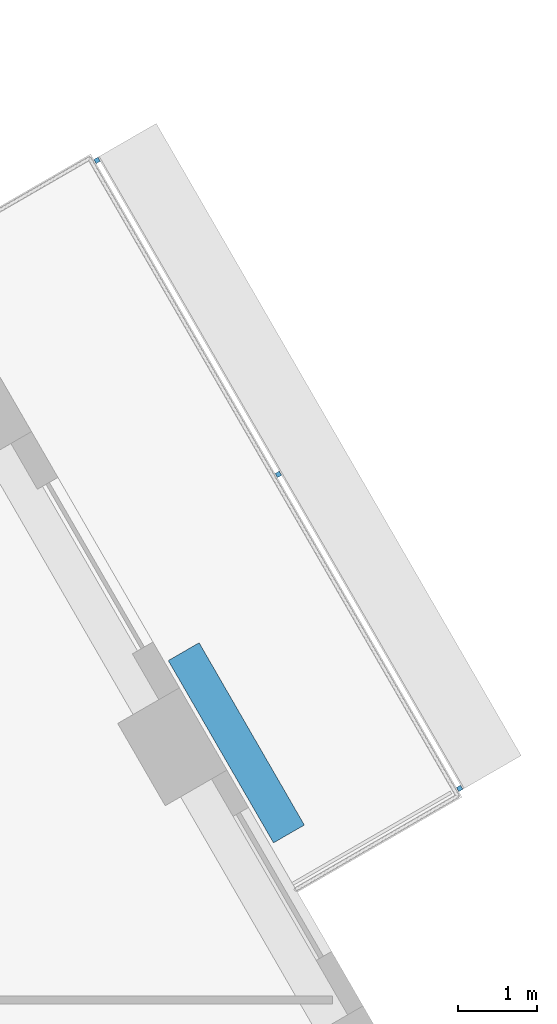
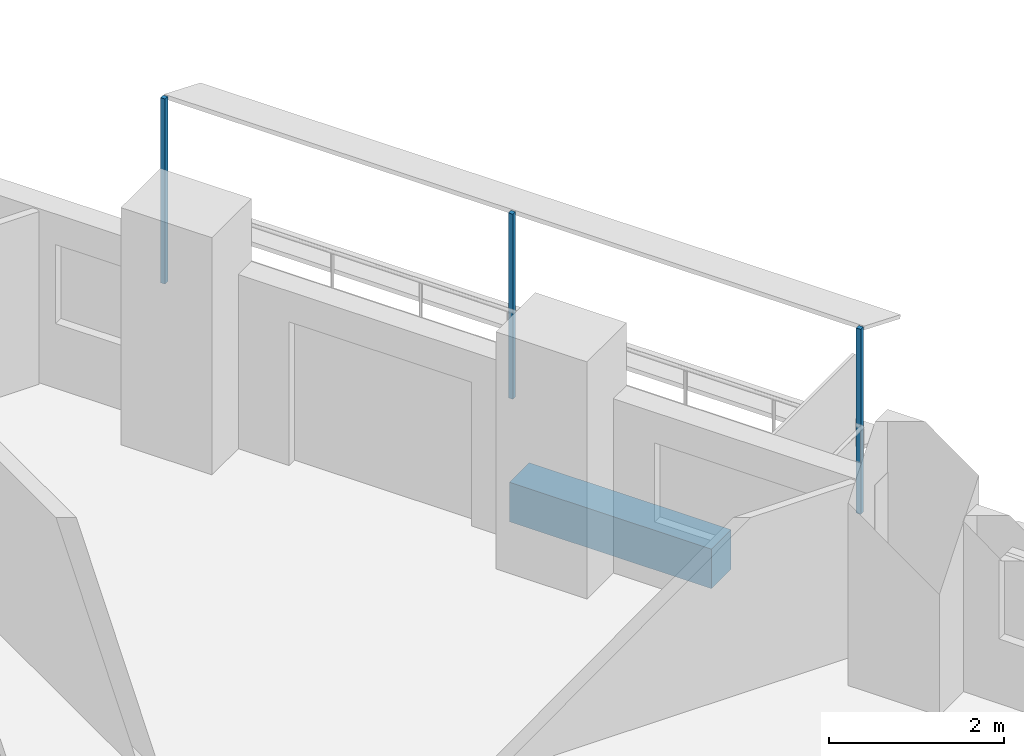
# One storey, part 13 of 18: 4 discrete accessories.
"""IFC4 building model written with IfcOpenShell, lengths in metres."""

from ifc_helpers import new_model, si_unit, direction, frame, origin, origin_2d, place, context, subcontext, project, spatial, rectangle, extrude, material, type_object, element, save


model = new_model("IFC4")

# Units and contexts
model_context = context("Model", 3, precision=1e-05, world=origin(), true_north=direction((0.0, 1.0)))
body_context = subcontext(model_context, "Body", "Model", "MODEL_VIEW")
ifc_project = project(units=[si_unit("LENGTHUNIT", "METRE"), si_unit("AREAUNIT", "SQUARE_METRE"), si_unit("VOLUMEUNIT", "CUBIC_METRE"), si_unit("PLANEANGLEUNIT", "RADIAN"), si_unit("MASSUNIT", "GRAM", prefix="KILO")], contexts=[model_context])

# Site, building, storey
site_placement = place(None, origin())
site = spatial("IfcSite", under=ifc_project, at=site_placement, CompositionType="ELEMENT")
building_placement = place(site_placement, origin())
building = spatial("IfcBuilding", under=site, at=building_placement, Name="Nakaniwa Court", CompositionType="ELEMENT")
storey_placement = place(building_placement, frame((0.0, 0.0, 180.0)))
storey = spatial("IfcBuildingStorey", under=building, at=storey_placement, Name="L46", CompositionType="ELEMENT", Elevation=180.0)

# Discrete accessories
ifc_material_1 = material(Name="Black powder-coated steel bracket S275", Category="steel")
discrete_accessory_type_1 = type_object("IfcDiscreteAccessoryType", Name="Black metal louvre bracket", PredefinedType="BRACKET", material=ifc_material_1)
for number, where, z_axis, x_axis, name in (
    (1, (102.7685546875, 90.723876953125, -0.22998046875), (0.0, 0.0, 1.0), (-0.500016626402, 0.866015804314, 0.0), "L46 louvre bracket 03 1"),
    (2, (100.478759765625, 94.689697265625, -0.22998046875), (0.0, 0.0, 1.0), (-0.500016626402, 0.866015804314, 0.0), "L46 louvre bracket 03 2"),
    (3, (98.189208984375, 98.6552734375, -0.22998046875), (0.0, 0.0, 1.0), (-0.500016626402, 0.866015804314, 0.0), "L46 louvre bracket 03 3"),
):
    element("IfcDiscreteAccessory", number, at=place(storey_placement, frame(where, z_axis=z_axis, x_axis=x_axis)), inside=storey, type_object=discrete_accessory_type_1, Name=name, PredefinedType="BRACKET", context=body_context, shape_type="SweptSolid", body=[
        extrude(rectangle(XDim=0.06005859375, YDim=0.06005859375, at=origin_2d()), origin(), (0.0, 0.0, 1.0), 2.5751953125),
    ])
ifc_material_2 = material(Name="Precast concrete C40/50 planter with planted soil", Category="concrete")
discrete_accessory_type_2 = type_object("IfcDiscreteAccessoryType", Name="Planter box charcoal concrete", PredefinedType="USERDEFINED", material=ifc_material_2)
discrete_accessory_placement = place(storey_placement, frame((99.94775390625, 91.2998046875, -0.0498046875), z_axis=(0.0, 0.0, 1.0), x_axis=(-0.500016626402, 0.866015804314, 0.0)))
element("IfcDiscreteAccessory", 4, at=discrete_accessory_placement, inside=storey, type_object=discrete_accessory_type_2, Name="L46 balcony PLANTER 03", ObjectType="PLANTER", PredefinedType="USERDEFINED", context=body_context, shape_type="SweptSolid", body=[
    extrude(rectangle(XDim=2.658203125, YDim=0.449951171875, at=origin_2d()), origin(), (0.0, 0.0, 1.0), 0.550048828125),
])

save(model, "model.ifc")
